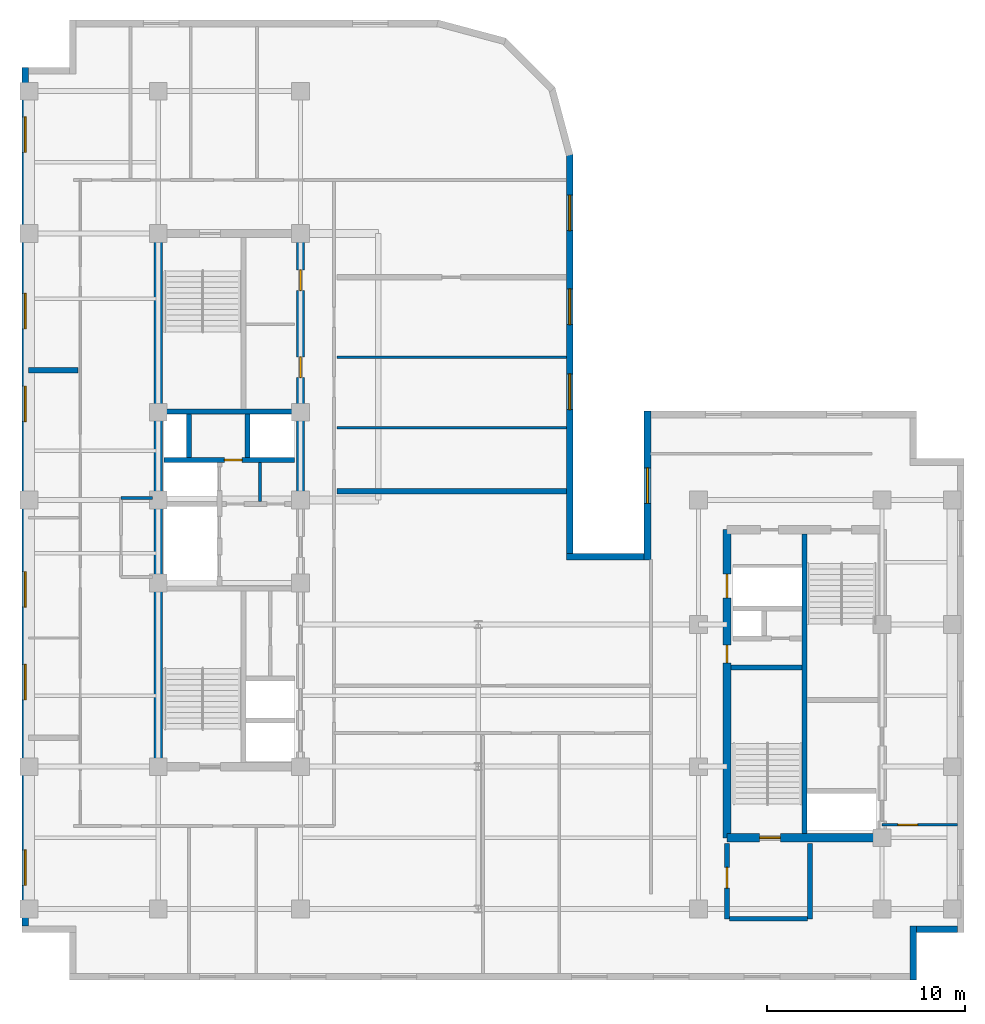
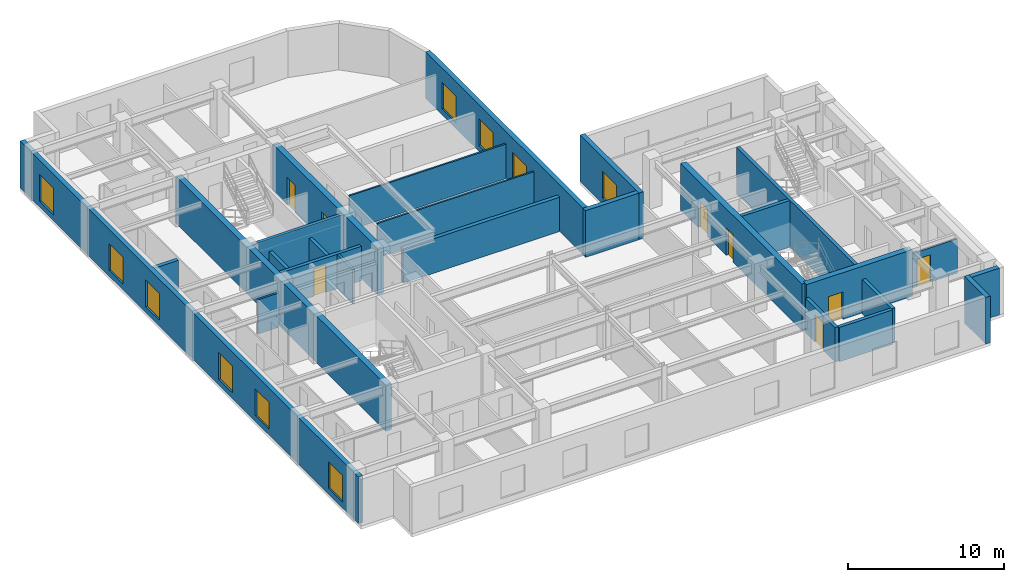
# One storey, part 5 of 10: 26 walls, 10 windows, 8 doors, 18 openings.
"""IFC4 building model written with IfcOpenShell, lengths in metres."""

from ifc_helpers import new_model, entity, si_unit, converted_unit, direction, frame, origin_with_axes, origin_2d_with_axis, place, context, subcontext, project, spatial, polyline, rectangle, outline, extrude, material, layer, layer_set, type_object, element, fill, save


model = new_model("IFC4")

# Units and contexts
model_context = context("Model", 3, precision=1e-05, world=origin_with_axes(), true_north=direction((0.0, 1.0)))
body_context = subcontext(model_context, "Body", "Model", "MODEL_VIEW")
ifc_project = project(units=[si_unit("LENGTHUNIT", "METRE"), si_unit("AREAUNIT", "SQUARE_METRE"), si_unit("VOLUMEUNIT", "CUBIC_METRE"), converted_unit("PLANEANGLEUNIT", "DEGREE", entity("IfcPlaneAngleMeasure", 0.017453292519943295), si_unit("PLANEANGLEUNIT", "RADIAN"), dimensions=[0, 0, 0, 0, 0, 0, 0]), si_unit("MASSUNIT", "GRAM", prefix="KILO"), si_unit("THERMODYNAMICTEMPERATUREUNIT", "KELVIN")], contexts=[model_context])

# Site, building, storey
site_placement = place(None, origin_with_axes())
site = spatial("IfcSite", under=ifc_project, at=site_placement, CompositionType="ELEMENT")
building_placement = place(site_placement, origin_with_axes())
building = spatial("IfcBuilding", under=site, at=building_placement, Name="Varnlund Millrace Tower", CompositionType="ELEMENT")
storey_placement = place(building_placement, frame((0.0, 0.0, 236.4), z_axis=(0.0, 0.0, 1.0), x_axis=(1.0, 0.0, 0.0)))
storey = spatial("IfcBuildingStorey", under=building, at=storey_placement, Name="L58", CompositionType="ELEMENT", Elevation=236.4)

# Wall
ifc_material_1 = material(Name="Concrete C60/75", Category="concrete")
ifc_layer_1 = layer(ifc_material_1, 0.42, Name="Concrete C60/75")
ifc_layer_set_1 = layer_set([ifc_layer_1], Name="Concrete C60/75")
wall_type_1 = type_object("IfcWallType", Name="Type-CoreWall-Shear-420-C60", PredefinedType="SHEAR", material=ifc_layer_set_1)
wall_1_placement = place(storey_placement, frame((11.4, 10.8, 0.0), z_axis=(0.0, 0.0, 1.0), x_axis=(0.0, 1.0, 0.0)))
element("IfcWall", 1, at=wall_1_placement, inside=storey, type_object=wall_type_1, Name="Type-CoreWall-Shear-420-C60", PredefinedType="SHEAR", context=body_context, shape_type="SweptSolid", body=[
    extrude(outline(polyline([(0.0, -0.21), (27.0, -0.21), (27.0, 0.21), (0.0, 0.21), (0.0, -0.21)])), origin_with_axes(), (0.0, 0.0, 1.0), 3.66),
])

# Wall, openings, doors
wall_2_placement = place(storey_placement, frame((18.6, 24.3, 0.0), z_axis=(0.0, 0.0, 1.0), x_axis=(0.0, 1.0, 0.0)))
wall_2 = element("IfcWall", 2, at=wall_2_placement, inside=storey, type_object=wall_type_1, Name="Type-CoreWall-Shear-420-C60", PredefinedType="SHEAR", context=body_context, shape_type="SweptSolid", body=[
    extrude(outline(polyline([(0.0, -0.21), (13.5, -0.21), (13.5, 0.21), (0.0, 0.21), (0.0, -0.21)])), origin_with_axes(), (0.0, 0.0, 1.0), 3.66),
])
opening_1_placement = place(wall_2_placement, frame((6.725, 0.0, 0.0), z_axis=(0.0, 0.0, 1.0), x_axis=(1.0, 0.0, 0.0)))
opening_1 = element("IfcOpeningElement", 3, at=opening_1_placement, cuts=wall_2, Name="Opening L58:DR-RECL-M1", PredefinedType="OPENING", context=body_context, shape_type="SweptSolid", body=[
    extrude(rectangle(XDim=1.05, YDim=0.44, at=origin_2d_with_axis()), origin_with_axes(), (0.0, 0.0, 1.0), 2.15),
])
opening_2_placement = place(wall_2_placement, frame((11.125, 0.0, 0.0), z_axis=(0.0, 0.0, 1.0), x_axis=(1.0, 0.0, 0.0)))
opening_2 = element("IfcOpeningElement", 4, at=opening_2_placement, cuts=wall_2, Name="Opening L58:DR-RECL-M2", PredefinedType="OPENING", context=body_context, shape_type="SweptSolid", body=[
    extrude(rectangle(XDim=1.05, YDim=0.44, at=origin_2d_with_axis()), origin_with_axes(), (0.0, 0.0, 1.0), 2.15),
])
ifc_material_2 = material(Name="Smoke-barrier hollow steel fire door", Category="steel")
door_type_1 = type_object("IfcDoorType", Name="Type-FireDoor-Lobby-1050X2150", OperationType="NOTDEFINED", PredefinedType="DOOR", material=ifc_material_2)
door_1_placement = place(wall_2_placement, frame((6.725, 0.0, 0.0), z_axis=(0.0, 0.0, 1.0), x_axis=(1.0, 0.0, 0.0)))
door_1 = element("IfcDoor", 5, at=door_1_placement, inside=storey, type_object=door_type_1, Name="Type-FireDoor-Lobby-1050X2150", OperationType="SINGLE_SWING_LEFT", OverallHeight=2.15, OverallWidth=1.05, PredefinedType="DOOR", context=body_context, shape_type="SweptSolid", body=[
    extrude(rectangle(XDim=1.05, YDim=0.09, at=origin_2d_with_axis()), origin_with_axes(), (0.0, 0.0, 1.0), 2.15),
])
fill(opening_1, door_1)
door_2_placement = place(wall_2_placement, frame((11.125, 0.0, 0.0), z_axis=(0.0, 0.0, 1.0), x_axis=(1.0, 0.0, 0.0)))
door_2 = element("IfcDoor", 6, at=door_2_placement, inside=storey, type_object=door_type_1, Name="Type-FireDoor-Lobby-1050X2150", OperationType="SINGLE_SWING_RIGHT", OverallHeight=2.15, OverallWidth=1.05, PredefinedType="DOOR", context=body_context, shape_type="SweptSolid", body=[
    extrude(rectangle(XDim=1.05, YDim=0.09, at=origin_2d_with_axis()), origin_with_axes(), (0.0, 0.0, 1.0), 2.15),
])
fill(opening_2, door_2)

wall_3_placement = place(storey_placement, frame((40.2, 7.2, 0.0), z_axis=(0.0, 0.0, 1.0), x_axis=(0.0, 1.0, 0.0)))
wall_3 = element("IfcWall", 7, at=wall_3_placement, inside=storey, type_object=wall_type_1, Name="Type-CoreWall-Shear-420-C60", PredefinedType="SHEAR", context=body_context, shape_type="SweptSolid", body=[
    extrude(outline(polyline([(0.0, -0.21), (15.6, -0.21), (15.6, 0.21), (0.0, 0.21), (0.0, -0.21)])), origin_with_axes(), (0.0, 0.0, 1.0), 3.66),
])
opening_3_placement = place(wall_3_placement, frame((12.75, 0.0, 0.0), z_axis=(0.0, 0.0, 1.0), x_axis=(1.0, 0.0, 0.0)))
opening_3 = element("IfcOpeningElement", 8, at=opening_3_placement, cuts=wall_3, Name="Opening L58:LD-SRV2", PredefinedType="OPENING", context=body_context, shape_type="SweptSolid", body=[
    extrude(rectangle(XDim=1.2, YDim=0.44, at=origin_2d_with_axis()), origin_with_axes(), (0.0, 0.0, 1.0), 2.15),
])
opening_4_placement = place(wall_3_placement, frame((9.3, 0.0, 0.0), z_axis=(0.0, 0.0, 1.0), x_axis=(1.0, 0.0, 0.0)))
opening_4 = element("IfcOpeningElement", 9, at=opening_4_placement, cuts=wall_3, Name="Opening L58:DR-CB-JAN", PredefinedType="OPENING", context=body_context, shape_type="SweptSolid", body=[
    extrude(rectangle(XDim=0.9, YDim=0.44, at=origin_2d_with_axis()), origin_with_axes(), (0.0, 0.0, 1.0), 2.15),
])
ifc_material_3 = material(Name="Fire-rated hollow steel service closet door", Category="steel")
door_type_2 = type_object("IfcDoorType", Name="Type-FireDoor-Closet-900X2150", OperationType="NOTDEFINED", PredefinedType="DOOR", material=ifc_material_3)
door_3_placement = place(wall_3_placement, frame((9.3, 0.0, 0.0), z_axis=(0.0, 0.0, 1.0), x_axis=(1.0, 0.0, 0.0)))
door_3 = element("IfcDoor", 10, at=door_3_placement, inside=storey, type_object=door_type_2, Name="Type-FireDoor-Closet-900X2150", OperationType="SINGLE_SWING_RIGHT", OverallHeight=2.15, OverallWidth=0.9, PredefinedType="DOOR", context=body_context, shape_type="SweptSolid", body=[
    extrude(rectangle(XDim=0.9, YDim=0.09, at=origin_2d_with_axis()), origin_with_axes(), (0.0, 0.0, 1.0), 2.15),
])
fill(opening_4, door_3)
ifc_material_4 = material(Name="Heavy-duty freight sliding landing door")
door_type_3 = type_object("IfcDoorType", Name="Type-LiftLandingDoor-Service-1200X2150", OperationType="NOTDEFINED", PredefinedType="DOOR", material=ifc_material_4)
door_4_placement = place(wall_3_placement, frame((12.75, 0.0, 0.0), z_axis=(0.0, 0.0, 1.0), x_axis=(1.0, 0.0, 0.0)))
door_4 = element("IfcDoor", 11, at=door_4_placement, inside=storey, type_object=door_type_3, Name="Type-LiftLandingDoor-Service-1200X2150", OperationType="DOUBLE_DOOR_SLIDING", OverallHeight=2.15, OverallWidth=1.2, PredefinedType="DOOR", context=body_context, shape_type="SweptSolid", body=[
    extrude(rectangle(XDim=1.2, YDim=0.09, at=origin_2d_with_axis()), origin_with_axes(), (0.0, 0.0, 1.0), 2.15),
])
fill(opening_3, door_4)

# Wall, opening, door
wall_4_placement = place(storey_placement, frame((40.2, 7.2, 0.0), z_axis=(0.0, 0.0, 1.0), x_axis=(1.0, 0.0, 0.0)))
wall_4 = element("IfcWall", 12, at=wall_4_placement, inside=storey, type_object=wall_type_1, Name="Type-CoreWall-Shear-420-C60", PredefinedType="SHEAR", context=body_context, shape_type="SweptSolid", body=[
    extrude(outline(polyline([(0.0, -0.21), (7.85, -0.21), (7.85, 0.21), (0.0, 0.21), (0.0, -0.21)])), origin_with_axes(), (0.0, 0.0, 1.0), 3.66),
])
opening_5_placement = place(wall_4_placement, frame((2.175, 0.0, 0.0), z_axis=(0.0, 0.0, 1.0), x_axis=(1.0, 0.0, 0.0)))
opening_5 = element("IfcOpeningElement", 13, at=opening_5_placement, cuts=wall_4, Name="Opening L58:DR-STB1", PredefinedType="OPENING", context=body_context, shape_type="SweptSolid", body=[
    extrude(rectangle(XDim=1.05, YDim=0.44, at=origin_2d_with_axis()), origin_with_axes(), (0.0, 0.0, 1.0), 2.15),
])
ifc_material_5 = material(Name="Fire-rated hollow steel door", Category="steel")
door_type_4 = type_object("IfcDoorType", Name="Type-FireDoor-Stair-1050X2150", OperationType="NOTDEFINED", PredefinedType="DOOR", material=ifc_material_5)
door_5_placement = place(wall_4_placement, frame((2.175, 0.0, 0.0), z_axis=(0.0, 0.0, 1.0), x_axis=(1.0, 0.0, 0.0)))
door_5 = element("IfcDoor", 14, at=door_5_placement, inside=storey, type_object=door_type_4, Name="Type-FireDoor-Stair-1050X2150", OperationType="SINGLE_SWING_LEFT", OverallHeight=2.15, OverallWidth=1.05, PredefinedType="DOOR", context=body_context, shape_type="SweptSolid", body=[
    extrude(rectangle(XDim=1.05, YDim=0.09, at=origin_2d_with_axis()), origin_with_axes(), (0.0, 0.0, 1.0), 2.15),
])
fill(opening_5, door_5)

# Wall, opening, window
ifc_material_6 = material(Name="Precast concrete C50/60", Category="concrete")
ifc_layer_2 = layer(ifc_material_6, 0.34, Name="Precast concrete C50/60")
ifc_layer_set_2 = layer_set([ifc_layer_2], Name="Precast concrete C50/60")
wall_type_2 = type_object("IfcWallType", Name="Type-ExtWall-Precast-Upper-340", PredefinedType="SOLIDWALL", material=ifc_layer_set_2)
wall_5_placement = place(storey_placement, frame((36.17, 21.26, 0.0), z_axis=(0.0, 0.0, 1.0), x_axis=(0.0, 1.0, 0.0)))
wall_5 = element("IfcWall", 15, at=wall_5_placement, inside=storey, type_object=wall_type_2, Name="Type-ExtWall-Precast-Upper-340", PredefinedType="SOLIDWALL", context=body_context, shape_type="SweptSolid", body=[
    extrude(outline(polyline([(0.0, -0.17), (7.54, -0.17), (7.54, 0.17), (0.0, 0.17), (0.0, -0.17)])), origin_with_axes(), (0.0, 0.0, 1.0), 3.66),
])
opening_6_placement = place(wall_5_placement, frame((3.77, 0.0, 0.45), z_axis=(0.0, 0.0, 1.0), x_axis=(1.0, 0.0, 0.0)))
opening_6 = element("IfcOpeningElement", 16, at=opening_6_placement, cuts=wall_5, Name="Opening L58:WN-01", PredefinedType="OPENING", context=body_context, shape_type="SweptSolid", body=[
    extrude(rectangle(XDim=1.8, YDim=0.36, at=origin_2d_with_axis()), origin_with_axes(), (0.0, 0.0, 1.0), 2.1),
])
ifc_material_7 = material(Name="Argon low-e triple glazing in thermally broken bronze frame", Category="glass")
window_type = type_object("IfcWindowType", Name="Type-Window-Punched-1800X2100", PartitioningType="SINGLE_PANEL", PredefinedType="WINDOW", material=ifc_material_7)
window_1_placement = place(wall_5_placement, frame((3.77, 0.0, 0.45), z_axis=(0.0, 0.0, 1.0), x_axis=(1.0, 0.0, 0.0)))
window_1 = element("IfcWindow", 17, at=window_1_placement, inside=storey, type_object=window_type, Name="Type-Window-Punched-1800X2100", OverallHeight=2.1, OverallWidth=1.8, PredefinedType="WINDOW", context=body_context, shape_type="SweptSolid", body=[
    extrude(rectangle(XDim=1.8, YDim=0.09, at=origin_2d_with_axis()), origin_with_axes(), (0.0, 0.0, 1.0), 2.1),
])
fill(opening_6, window_1)

# Walls
wall_6_placement = place(storey_placement, frame((51.86, 2.57, 0.0), z_axis=(0.0, 0.0, 1.0), x_axis=(-1.0, 0.0, 0.0)))
element("IfcWall", 18, at=wall_6_placement, inside=storey, type_object=wall_type_2, Name="Type-ExtWall-Precast-Upper-340", PredefinedType="SOLIDWALL", context=body_context, shape_type="SweptSolid", body=[
    extrude(outline(polyline([(0.0, -0.17), (2.06, -0.17), (2.06, 0.17), (0.0, 0.17), (0.0, -0.17)])), origin_with_axes(), (0.0, 0.0, 1.0), 3.66),
])
wall_7_placement = place(storey_placement, frame((49.63, 2.74, 0.0), z_axis=(0.0, 0.0, 1.0), x_axis=(0.0, -1.0, 0.0)))
element("IfcWall", 19, at=wall_7_placement, inside=storey, type_object=wall_type_2, Name="Type-ExtWall-Precast-Upper-340", PredefinedType="SOLIDWALL", context=body_context, shape_type="SweptSolid", body=[
    extrude(outline(polyline([(0.0, -0.17), (2.74, -0.17), (2.74, 0.17), (0.0, 0.17), (0.0, -0.17)])), origin_with_axes(), (0.0, 0.0, 1.0), 3.66),
])

# Wall, openings, windows
wall_8_placement = place(storey_placement, frame((4.67, 2.74, 0.0), z_axis=(0.0, 0.0, 1.0), x_axis=(0.0, 1.0, 0.0)))
wall_8 = element("IfcWall", 20, at=wall_8_placement, inside=storey, type_object=wall_type_2, Name="Type-ExtWall-Precast-Upper-340", PredefinedType="SOLIDWALL", context=body_context, shape_type="SweptSolid", body=[
    extrude(outline(polyline([(0.0, -0.17), (43.46, -0.17), (43.46, 0.17), (0.0, 0.17), (0.0, -0.17)])), origin_with_axes(), (0.0, 0.0, 1.0), 3.66),
])
opening_7_placement = place(wall_8_placement, frame((2.948, 0.0, 0.45), z_axis=(0.0, 0.0, 1.0), x_axis=(1.0, 0.0, 0.0)))
opening_7 = element("IfcOpeningElement", 21, at=opening_7_placement, cuts=wall_8, Name="Opening L58:WN-15", PredefinedType="OPENING", context=body_context, shape_type="SweptSolid", body=[
    extrude(rectangle(XDim=1.8, YDim=0.36, at=origin_2d_with_axis()), origin_with_axes(), (0.0, 0.0, 1.0), 2.1),
])
opening_8_placement = place(wall_8_placement, frame((12.339, 0.0, 0.45), z_axis=(0.0, 0.0, 1.0), x_axis=(1.0, 0.0, 0.0)))
opening_8 = element("IfcOpeningElement", 22, at=opening_8_placement, cuts=wall_8, Name="Opening L58:WN-16", PredefinedType="OPENING", context=body_context, shape_type="SweptSolid", body=[
    extrude(rectangle(XDim=1.8, YDim=0.36, at=origin_2d_with_axis()), origin_with_axes(), (0.0, 0.0, 1.0), 2.1),
])
opening_9_placement = place(wall_8_placement, frame((17.034, 0.0, 0.45), z_axis=(0.0, 0.0, 1.0), x_axis=(1.0, 0.0, 0.0)))
opening_9 = element("IfcOpeningElement", 23, at=opening_9_placement, cuts=wall_8, Name="Opening L58:WN-17", PredefinedType="OPENING", context=body_context, shape_type="SweptSolid", body=[
    extrude(rectangle(XDim=1.8, YDim=0.36, at=origin_2d_with_axis()), origin_with_axes(), (0.0, 0.0, 1.0), 2.1),
])
opening_10_placement = place(wall_8_placement, frame((26.426, 0.0, 0.45), z_axis=(0.0, 0.0, 1.0), x_axis=(1.0, 0.0, 0.0)))
opening_10 = element("IfcOpeningElement", 24, at=opening_10_placement, cuts=wall_8, Name="Opening L58:WN-18", PredefinedType="OPENING", context=body_context, shape_type="SweptSolid", body=[
    extrude(rectangle(XDim=1.8, YDim=0.36, at=origin_2d_with_axis()), origin_with_axes(), (0.0, 0.0, 1.0), 2.1),
])
opening_11_placement = place(wall_8_placement, frame((31.121, 0.0, 0.45), z_axis=(0.0, 0.0, 1.0), x_axis=(1.0, 0.0, 0.0)))
opening_11 = element("IfcOpeningElement", 25, at=opening_11_placement, cuts=wall_8, Name="Opening L58:WN-19", PredefinedType="OPENING", context=body_context, shape_type="SweptSolid", body=[
    extrude(rectangle(XDim=1.8, YDim=0.36, at=origin_2d_with_axis()), origin_with_axes(), (0.0, 0.0, 1.0), 2.1),
])
opening_12_placement = place(wall_8_placement, frame((40.062, 0.0, 0.45), z_axis=(0.0, 0.0, 1.0), x_axis=(1.0, 0.0, 0.0)))
opening_12 = element("IfcOpeningElement", 26, at=opening_12_placement, cuts=wall_8, Name="Opening L58:WN-20", PredefinedType="OPENING", context=body_context, shape_type="SweptSolid", body=[
    extrude(rectangle(XDim=1.8, YDim=0.36, at=origin_2d_with_axis()), origin_with_axes(), (0.0, 0.0, 1.0), 2.1),
])
window_2_placement = place(wall_8_placement, frame((2.948, 0.0, 0.45), z_axis=(0.0, 0.0, 1.0), x_axis=(1.0, 0.0, 0.0)))
window_2 = element("IfcWindow", 27, at=window_2_placement, inside=storey, type_object=window_type, Name="Type-Window-Punched-1800X2100", OverallHeight=2.1, OverallWidth=1.8, PredefinedType="WINDOW", context=body_context, shape_type="SweptSolid", body=[
    extrude(rectangle(XDim=1.8, YDim=0.09, at=origin_2d_with_axis()), origin_with_axes(), (0.0, 0.0, 1.0), 2.1),
])
fill(opening_7, window_2)
window_3_placement = place(wall_8_placement, frame((12.339, 0.0, 0.45), z_axis=(0.0, 0.0, 1.0), x_axis=(1.0, 0.0, 0.0)))
window_3 = element("IfcWindow", 28, at=window_3_placement, inside=storey, type_object=window_type, Name="Type-Window-Punched-1800X2100", OverallHeight=2.1, OverallWidth=1.8, PredefinedType="WINDOW", context=body_context, shape_type="SweptSolid", body=[
    extrude(rectangle(XDim=1.8, YDim=0.09, at=origin_2d_with_axis()), origin_with_axes(), (0.0, 0.0, 1.0), 2.1),
])
fill(opening_8, window_3)
window_4_placement = place(wall_8_placement, frame((17.034, 0.0, 0.45), z_axis=(0.0, 0.0, 1.0), x_axis=(1.0, 0.0, 0.0)))
window_4 = element("IfcWindow", 29, at=window_4_placement, inside=storey, type_object=window_type, Name="Type-Window-Punched-1800X2100", OverallHeight=2.1, OverallWidth=1.8, PredefinedType="WINDOW", context=body_context, shape_type="SweptSolid", body=[
    extrude(rectangle(XDim=1.8, YDim=0.09, at=origin_2d_with_axis()), origin_with_axes(), (0.0, 0.0, 1.0), 2.1),
])
fill(opening_9, window_4)
window_5_placement = place(wall_8_placement, frame((26.426, 0.0, 0.45), z_axis=(0.0, 0.0, 1.0), x_axis=(1.0, 0.0, 0.0)))
window_5 = element("IfcWindow", 30, at=window_5_placement, inside=storey, type_object=window_type, Name="Type-Window-Punched-1800X2100", OverallHeight=2.1, OverallWidth=1.8, PredefinedType="WINDOW", context=body_context, shape_type="SweptSolid", body=[
    extrude(rectangle(XDim=1.8, YDim=0.09, at=origin_2d_with_axis()), origin_with_axes(), (0.0, 0.0, 1.0), 2.1),
])
fill(opening_10, window_5)
window_6_placement = place(wall_8_placement, frame((31.121, 0.0, 0.45), z_axis=(0.0, 0.0, 1.0), x_axis=(1.0, 0.0, 0.0)))
window_6 = element("IfcWindow", 31, at=window_6_placement, inside=storey, type_object=window_type, Name="Type-Window-Punched-1800X2100", OverallHeight=2.1, OverallWidth=1.8, PredefinedType="WINDOW", context=body_context, shape_type="SweptSolid", body=[
    extrude(rectangle(XDim=1.8, YDim=0.09, at=origin_2d_with_axis()), origin_with_axes(), (0.0, 0.0, 1.0), 2.1),
])
fill(opening_11, window_6)
window_7_placement = place(wall_8_placement, frame((40.062, 0.0, 0.45), z_axis=(0.0, 0.0, 1.0), x_axis=(1.0, 0.0, 0.0)))
window_7 = element("IfcWindow", 32, at=window_7_placement, inside=storey, type_object=window_type, Name="Type-Window-Punched-1800X2100", OverallHeight=2.1, OverallWidth=1.8, PredefinedType="WINDOW", context=body_context, shape_type="SweptSolid", body=[
    extrude(rectangle(XDim=1.8, YDim=0.09, at=origin_2d_with_axis()), origin_with_axes(), (0.0, 0.0, 1.0), 2.1),
])
fill(opening_12, window_7)

wall_9_placement = place(storey_placement, frame((32.23, 41.82, 0.0), z_axis=(0.0, 0.0, 1.0), x_axis=(0.0, -1.0, 0.0)))
wall_9 = element("IfcWall", 33, at=wall_9_placement, inside=storey, type_object=wall_type_2, Name="Type-ExtWall-Precast-Upper-340", PredefinedType="SOLIDWALL", context=body_context, shape_type="SweptSolid", body=[
    extrude(outline(polyline([(0.0, -0.17), (20.22, -0.17), (20.22, 0.17), (0.0, 0.17), (0.0, -0.17)])), origin_with_axes(), (0.0, 0.0, 1.0), 3.66),
])
opening_13_placement = place(wall_9_placement, frame((2.978, 0.0, 0.45), z_axis=(0.0, 0.0, 1.0), x_axis=(1.0, 0.0, 0.0)))
opening_13 = element("IfcOpeningElement", 34, at=opening_13_placement, cuts=wall_9, Name="Opening L58:WN-23", PredefinedType="OPENING", context=body_context, shape_type="SweptSolid", body=[
    extrude(rectangle(XDim=1.8, YDim=0.36, at=origin_2d_with_axis()), origin_with_axes(), (0.0, 0.0, 1.0), 2.1),
])
opening_14_placement = place(wall_9_placement, frame((7.732, 0.0, 0.45), z_axis=(0.0, 0.0, 1.0), x_axis=(1.0, 0.0, 0.0)))
opening_14 = element("IfcOpeningElement", 35, at=opening_14_placement, cuts=wall_9, Name="Opening L58:WN-24", PredefinedType="OPENING", context=body_context, shape_type="SweptSolid", body=[
    extrude(rectangle(XDim=1.8, YDim=0.36, at=origin_2d_with_axis()), origin_with_axes(), (0.0, 0.0, 1.0), 2.1),
])
opening_15_placement = place(wall_9_placement, frame((12.037, 0.0, 0.45), z_axis=(0.0, 0.0, 1.0), x_axis=(1.0, 0.0, 0.0)))
opening_15 = element("IfcOpeningElement", 36, at=opening_15_placement, cuts=wall_9, Name="Opening L58:WN-25", PredefinedType="OPENING", context=body_context, shape_type="SweptSolid", body=[
    extrude(rectangle(XDim=1.8, YDim=0.36, at=origin_2d_with_axis()), origin_with_axes(), (0.0, 0.0, 1.0), 2.1),
])
window_8_placement = place(wall_9_placement, frame((2.978, 0.0, 0.45), z_axis=(0.0, 0.0, 1.0), x_axis=(1.0, 0.0, 0.0)))
window_8 = element("IfcWindow", 37, at=window_8_placement, inside=storey, type_object=window_type, Name="Type-Window-Punched-1800X2100", OverallHeight=2.1, OverallWidth=1.8, PredefinedType="WINDOW", context=body_context, shape_type="SweptSolid", body=[
    extrude(rectangle(XDim=1.8, YDim=0.09, at=origin_2d_with_axis()), origin_with_axes(), (0.0, 0.0, 1.0), 2.1),
])
fill(opening_13, window_8)
window_9_placement = place(wall_9_placement, frame((7.732, 0.0, 0.45), z_axis=(0.0, 0.0, 1.0), x_axis=(1.0, 0.0, 0.0)))
window_9 = element("IfcWindow", 38, at=window_9_placement, inside=storey, type_object=window_type, Name="Type-Window-Punched-1800X2100", OverallHeight=2.1, OverallWidth=1.8, PredefinedType="WINDOW", context=body_context, shape_type="SweptSolid", body=[
    extrude(rectangle(XDim=1.8, YDim=0.09, at=origin_2d_with_axis()), origin_with_axes(), (0.0, 0.0, 1.0), 2.1),
])
fill(opening_14, window_9)
window_10_placement = place(wall_9_placement, frame((12.037, 0.0, 0.45), z_axis=(0.0, 0.0, 1.0), x_axis=(1.0, 0.0, 0.0)))
window_10 = element("IfcWindow", 39, at=window_10_placement, inside=storey, type_object=window_type, Name="Type-Window-Punched-1800X2100", OverallHeight=2.1, OverallWidth=1.8, PredefinedType="WINDOW", context=body_context, shape_type="SweptSolid", body=[
    extrude(rectangle(XDim=1.8, YDim=0.09, at=origin_2d_with_axis()), origin_with_axes(), (0.0, 0.0, 1.0), 2.1),
])
fill(opening_15, window_10)

# Walls
wall_10_placement = place(storey_placement, frame((32.06, 21.43, 0.0), z_axis=(0.0, 0.0, 1.0), x_axis=(1.0, 0.0, 0.0)))
element("IfcWall", 40, at=wall_10_placement, inside=storey, type_object=wall_type_2, Name="Type-ExtWall-Precast-Upper-340", PredefinedType="SOLIDWALL", context=body_context, shape_type="SweptSolid", body=[
    extrude(outline(polyline([(0.0, -0.17), (3.94, -0.17), (3.94, 0.17), (0.0, 0.17), (0.0, -0.17)])), origin_with_axes(), (0.0, 0.0, 1.0), 3.66),
])
ifc_material_8 = material(Name="Double-stud STC-60 conference acoustic partition", Category="gypsum")
ifc_layer_3 = layer(ifc_material_8, 0.28, Name="Double-stud STC-60 conference acoustic partition")
ifc_layer_set_3 = layer_set([ifc_layer_3], Name="Double-stud STC-60 conference acoustic partition")
wall_type_3 = type_object("IfcWallType", Name="Type-Partition-Acoustic-280", PredefinedType="PARTITIONING", material=ifc_layer_set_3)
wall_11_placement = place(storey_placement, frame((4.835, 30.863, 0.0), z_axis=(0.0, 0.0, 1.0), x_axis=(1.0, 0.0, 0.0)))
element("IfcWall", 41, at=wall_11_placement, inside=storey, type_object=wall_type_3, Name="Type-Partition-Acoustic-280", PredefinedType="PARTITIONING", context=body_context, shape_type="SweptSolid", body=[
    extrude(outline(polyline([(0.0, -0.14), (2.495, -0.14), (2.495, 0.14), (0.0, 0.14), (0.0, -0.14)])), origin_with_axes(), (0.0, 0.0, 1.0), 2.7),
])
wall_12_placement = place(storey_placement, frame((20.45, 24.743, 0.0), z_axis=(0.0, 0.0, 1.0), x_axis=(1.0, 0.0, 0.0)))
element("IfcWall", 42, at=wall_12_placement, inside=storey, type_object=wall_type_3, Name="Type-Partition-Acoustic-280", PredefinedType="PARTITIONING", context=body_context, shape_type="SweptSolid", body=[
    extrude(outline(polyline([(0.0, -0.14), (11.615, -0.14), (11.615, 0.14), (0.0, 0.14), (0.0, -0.14)])), origin_with_axes(), (0.0, 0.0, 1.0), 2.7),
])
ifc_material_9 = material(Name="Fire-rated gypsum board on cold-formed steel framing", Category="steel")
ifc_layer_4 = layer(ifc_material_9, 0.16, Name="Fire-rated gypsum board on cold-formed steel framing")
ifc_layer_set_4 = layer_set([ifc_layer_4], Name="Fire-rated gypsum board on cold-formed steel framing")
wall_type_4 = type_object("IfcWallType", Name="Type-Partition-Corridor-160", PredefinedType="PARTITIONING", material=ifc_layer_set_4)
wall_13_placement = place(storey_placement, frame((16.55, 24.22, 0.0), z_axis=(0.0, 0.0, 1.0), x_axis=(0.0, 1.0, 0.0)))
element("IfcWall", 43, at=wall_13_placement, inside=storey, type_object=wall_type_4, Name="Type-Partition-Corridor-160", PredefinedType="PARTITIONING", context=body_context, shape_type="SweptSolid", body=[
    extrude(outline(polyline([(0.0, -0.08), (1.98, -0.08), (1.98, 0.08), (0.0, 0.08), (0.0, -0.08)])), origin_with_axes(), (0.0, 0.0, 1.0), 2.7),
])
ifc_material_10 = material(Name="Gypsum board tenant partition", Category="gypsum")
ifc_layer_5 = layer(ifc_material_10, 0.125, Name="Gypsum board tenant partition")
ifc_layer_set_5 = layer_set([ifc_layer_5], Name="Gypsum board tenant partition")
wall_type_5 = type_object("IfcWallType", Name="Type-Partition-Tenant-125", PredefinedType="PARTITIONING", material=ifc_layer_set_5)
for number, where, z_axis, x_axis, name in (
    (44, (20.45, 27.959, 0.0), (0.0, 0.0, 1.0), (1.0, 0.0, 0.0), "Type-Partition-Tenant-125"),
    (45, (20.45, 31.532, 0.0), (0.0, 0.0, 1.0), (1.0, 0.0, 0.0), "Type-Partition-Tenant-125"),
):
    element("IfcWall", number, at=place(storey_placement, frame(where, z_axis=z_axis, x_axis=x_axis)), inside=storey, type_object=wall_type_5, Name=name, PredefinedType="PARTITIONING", context=body_context, shape_type="SweptSolid", body=[
        extrude(outline(polyline([(0.0, -0.0625), (11.615, -0.0625), (11.615, 0.0625), (0.0, 0.0625), (0.0, -0.0625)])), origin_with_axes(), (0.0, 0.0, 1.0), 2.7),
    ])

# Wall, opening, door
wall_14_placement = place(storey_placement, frame((51.865, 7.85, 0.0), z_axis=(0.0, 0.0, 1.0), x_axis=(-1.0, 0.0, 0.0)))
wall_14 = element("IfcWall", 46, at=wall_14_placement, inside=storey, type_object=wall_type_5, Name="Type-Partition-Tenant-125", PredefinedType="PARTITIONING", context=body_context, shape_type="SweptSolid", body=[
    extrude(outline(polyline([(0.0, -0.0625), (3.815, -0.0625), (3.815, 0.0625), (0.0, 0.0625), (0.0, -0.0625)])), origin_with_axes(), (0.0, 0.0, 1.0), 2.7),
])
opening_16_placement = place(wall_14_placement, frame((2.515, 0.0, 0.0), z_axis=(0.0, 0.0, 1.0), x_axis=(1.0, 0.0, 0.0)))
opening_16 = element("IfcOpeningElement", 47, at=opening_16_placement, cuts=wall_14, Name="Opening L58:DR-WBS-01", PredefinedType="OPENING", context=body_context, shape_type="SweptSolid", body=[
    extrude(rectangle(XDim=1.0, YDim=0.145, at=origin_2d_with_axis()), origin_with_axes(), (0.0, 0.0, 1.0), 2.15),
])
ifc_material_11 = material(Name="Solid-core white oak and bronze frame door")
door_type_5 = type_object("IfcDoorType", Name="Type-IntDoor-Office-1000X2150", OperationType="NOTDEFINED", PredefinedType="DOOR", material=ifc_material_11)
door_6_placement = place(wall_14_placement, frame((2.515, 0.0, 0.0), z_axis=(0.0, 0.0, 1.0), x_axis=(1.0, 0.0, 0.0)))
door_6 = element("IfcDoor", 48, at=door_6_placement, inside=storey, type_object=door_type_5, Name="Type-IntDoor-Office-1000X2150", OperationType="SINGLE_SWING_LEFT", OverallHeight=2.15, OverallWidth=1.0, PredefinedType="DOOR", context=body_context, shape_type="SweptSolid", body=[
    extrude(rectangle(XDim=1.0, YDim=0.075, at=origin_2d_with_axis()), origin_with_axes(), (0.0, 0.0, 1.0), 2.15),
])
fill(opening_16, door_6)

# Wall
ifc_material_12 = material(Name="Moisture-resistant gypsum restroom partition", Category="gypsum")
ifc_layer_6 = layer(ifc_material_12, 0.14, Name="Moisture-resistant gypsum restroom partition")
ifc_layer_set_6 = layer_set([ifc_layer_6], Name="Moisture-resistant gypsum restroom partition")
wall_type_6 = type_object("IfcWallType", Name="Type-Partition-Wet-140", PredefinedType="PARTITIONING", material=ifc_layer_set_6)
wall_15_placement = place(storey_placement, frame((9.52, 24.4, 0.0), z_axis=(0.0, 0.0, 1.0), x_axis=(1.0, 0.0, 0.0)))
element("IfcWall", 49, at=wall_15_placement, inside=storey, type_object=wall_type_6, Name="Type-Partition-Wet-140", PredefinedType="PARTITIONING", context=body_context, shape_type="SweptSolid", body=[
    extrude(outline(polyline([(0.0, -0.07), (1.58, -0.07), (1.58, 0.07), (0.0, 0.07), (0.0, -0.07)])), origin_with_axes(), (0.0, 0.0, 1.0), 2.7),
])

# Wall, opening, door
ifc_layer_7 = layer(ifc_material_1, 0.25, Name="Concrete C60/75")
ifc_layer_set_7 = layer_set([ifc_layer_7], Name="Concrete C60/75")
wall_type_7 = type_object("IfcWallType", Name="Type-ShaftWall-Fire-250", PredefinedType="SOLIDWALL", material=ifc_layer_set_7)
wall_16_placement = place(storey_placement, frame((11.7, 26.325, 0.0), z_axis=(0.0, 0.0, 1.0), x_axis=(1.0, 0.0, 0.0)))
wall_16 = element("IfcWall", 50, at=wall_16_placement, inside=storey, type_object=wall_type_7, Name="Type-ShaftWall-Fire-250", PredefinedType="SOLIDWALL", context=body_context, shape_type="SweptSolid", body=[
    extrude(outline(polyline([(0.0, -0.125), (6.6, -0.125), (6.6, 0.125), (0.0, 0.125), (0.0, -0.125)])), origin_with_axes(), (0.0, 0.0, 1.0), 2.7),
])
opening_17_placement = place(wall_16_placement, frame((3.5, 0.0, 0.0), z_axis=(0.0, 0.0, 1.0), x_axis=(1.0, 0.0, 0.0)))
opening_17 = element("IfcOpeningElement", 51, at=opening_17_placement, cuts=wall_16, Name="Opening L58:DR-CA-ELC", PredefinedType="OPENING", context=body_context, shape_type="SweptSolid", body=[
    extrude(rectangle(XDim=0.9, YDim=0.27, at=origin_2d_with_axis()), origin_with_axes(), (0.0, 0.0, 1.0), 2.15),
])
door_7_placement = place(wall_16_placement, frame((3.5, 0.0, 0.0), z_axis=(0.0, 0.0, 1.0), x_axis=(1.0, 0.0, 0.0)))
door_7 = element("IfcDoor", 52, at=door_7_placement, inside=storey, type_object=door_type_2, Name="Type-FireDoor-Closet-900X2150", OperationType="SINGLE_SWING_LEFT", OverallHeight=2.15, OverallWidth=0.9, PredefinedType="DOOR", context=body_context, shape_type="SweptSolid", body=[
    extrude(rectangle(XDim=0.9, YDim=0.09, at=origin_2d_with_axis()), origin_with_axes(), (0.0, 0.0, 1.0), 2.15),
])
fill(opening_17, door_7)

# Walls
for number, where, z_axis, x_axis, name in (
    (53, (12.96, 26.45, 0.0), (0.0, 0.0, 1.0), (0.0, 1.0, 0.0), "Type-ShaftWall-Fire-250"),
    (54, (15.925, 26.45, 0.0), (0.0, 0.0, 1.0), (0.0, 1.0, 0.0), "Type-ShaftWall-Fire-250"),
):
    element("IfcWall", number, at=place(storey_placement, frame(where, z_axis=z_axis, x_axis=x_axis)), inside=storey, type_object=wall_type_7, Name=name, PredefinedType="SOLIDWALL", context=body_context, shape_type="SweptSolid", body=[
        extrude(outline(polyline([(0.0, -0.125), (2.2, -0.125), (2.2, 0.125), (0.0, 0.125), (0.0, -0.125)])), origin_with_axes(), (0.0, 0.0, 1.0), 2.7),
    ])

# Wall, opening, door
wall_17_placement = place(storey_placement, frame((40.2, 3.1, 0.0), z_axis=(0.0, 0.0, 1.0), x_axis=(0.0, 1.0, 0.0)))
wall_17 = element("IfcWall", 55, at=wall_17_placement, inside=storey, type_object=wall_type_7, Name="Type-ShaftWall-Fire-250", PredefinedType="SOLIDWALL", context=body_context, shape_type="SweptSolid", body=[
    extrude(outline(polyline([(0.0, -0.125), (3.8, -0.125), (3.8, 0.125), (0.0, 0.125), (0.0, -0.125)])), origin_with_axes(), (0.0, 0.0, 1.0), 2.7),
])
opening_18_placement = place(wall_17_placement, frame((2.075, 0.0, 0.0), z_axis=(0.0, 0.0, 1.0), x_axis=(1.0, 0.0, 0.0)))
opening_18 = element("IfcOpeningElement", 56, at=opening_18_placement, cuts=wall_17, Name="Opening L58:DR-FFLOB-B", PredefinedType="OPENING", context=body_context, shape_type="SweptSolid", body=[
    extrude(rectangle(XDim=1.05, YDim=0.27, at=origin_2d_with_axis()), origin_with_axes(), (0.0, 0.0, 1.0), 2.15),
])
door_8_placement = place(wall_17_placement, frame((2.075, 0.0, 0.0), z_axis=(0.0, 0.0, 1.0), x_axis=(1.0, 0.0, 0.0)))
door_8 = element("IfcDoor", 57, at=door_8_placement, inside=storey, type_object=door_type_1, Name="Type-FireDoor-Lobby-1050X2150", OperationType="SINGLE_SWING_LEFT", OverallHeight=2.15, OverallWidth=1.05, PredefinedType="DOOR", context=body_context, shape_type="SweptSolid", body=[
    extrude(rectangle(XDim=1.05, YDim=0.09, at=origin_2d_with_axis()), origin_with_axes(), (0.0, 0.0, 1.0), 2.15),
])
fill(opening_18, door_8)

# Walls
wall_18_placement = place(storey_placement, frame((40.325, 3.1, 0.0), z_axis=(0.0, 0.0, 1.0), x_axis=(1.0, 0.0, 0.0)))
element("IfcWall", 58, at=wall_18_placement, inside=storey, type_object=wall_type_7, Name="Type-ShaftWall-Fire-250", PredefinedType="SOLIDWALL", context=body_context, shape_type="SweptSolid", body=[
    extrude(outline(polyline([(0.0, -0.125), (3.95, -0.125), (3.95, 0.125), (0.0, 0.125), (0.0, -0.125)])), origin_with_axes(), (0.0, 0.0, 1.0), 2.7),
])
wall_19_placement = place(storey_placement, frame((44.4, 3.1, 0.0), z_axis=(0.0, 0.0, 1.0), x_axis=(0.0, 1.0, 0.0)))
element("IfcWall", 59, at=wall_19_placement, inside=storey, type_object=wall_type_7, Name="Type-ShaftWall-Fire-250", PredefinedType="SOLIDWALL", context=body_context, shape_type="SweptSolid", body=[
    extrude(outline(polyline([(0.0, -0.125), (3.8, -0.125), (3.8, 0.125), (0.0, 0.125), (0.0, -0.125)])), origin_with_axes(), (0.0, 0.0, 1.0), 2.7),
])
wall_type_8 = type_object("IfcWallType", Name="Type-StairWall-Shear-250", PredefinedType="SHEAR", material=ifc_layer_set_7)
wall_20_placement = place(storey_placement, frame((11.61, 28.775, 0.0), z_axis=(0.0, 0.0, 1.0), x_axis=(1.0, 0.0, 0.0)))
element("IfcWall", 60, at=wall_20_placement, inside=storey, type_object=wall_type_8, Name="Type-StairWall-Shear-250", PredefinedType="SHEAR", context=body_context, shape_type="SweptSolid", body=[
    extrude(outline(polyline([(0.0, -0.125), (6.78, -0.125), (6.78, 0.125), (0.0, 0.125), (0.0, -0.125)])), origin_with_axes(), (0.0, 0.0, 1.0), 3.66),
])
wall_21_placement = place(storey_placement, frame((44.125, 7.41, 0.0), z_axis=(0.0, 0.0, 1.0), x_axis=(0.0, 1.0, 0.0)))
element("IfcWall", 61, at=wall_21_placement, inside=storey, type_object=wall_type_8, Name="Type-StairWall-Shear-250", PredefinedType="SHEAR", context=body_context, shape_type="SweptSolid", body=[
    extrude(outline(polyline([(0.0, -0.125), (15.18, -0.125), (15.18, 0.125), (0.0, 0.125), (0.0, -0.125)])), origin_with_axes(), (0.0, 0.0, 1.0), 3.66),
])
wall_22_placement = place(storey_placement, frame((40.41, 15.825, 0.0), z_axis=(0.0, 0.0, 1.0), x_axis=(1.0, 0.0, 0.0)))
element("IfcWall", 62, at=wall_22_placement, inside=storey, type_object=wall_type_8, Name="Type-StairWall-Shear-250", PredefinedType="SHEAR", context=body_context, shape_type="SweptSolid", body=[
    extrude(outline(polyline([(0.0, -0.125), (3.59, -0.125), (3.59, 0.125), (0.0, 0.125), (0.0, -0.125)])), origin_with_axes(), (0.0, 0.0, 1.0), 3.66),
])

save(model, "model.ifc")
